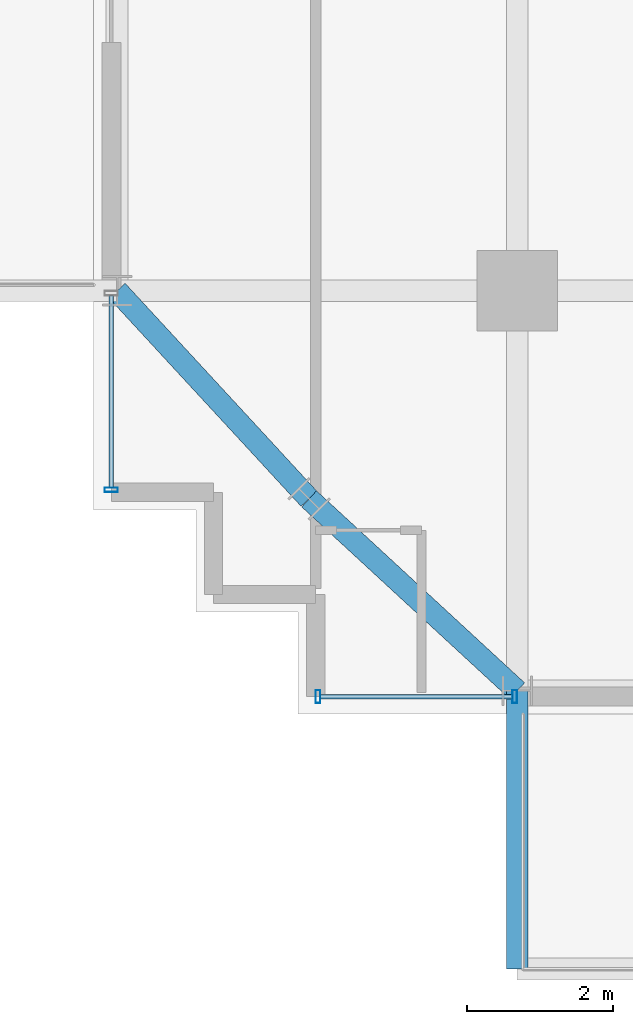
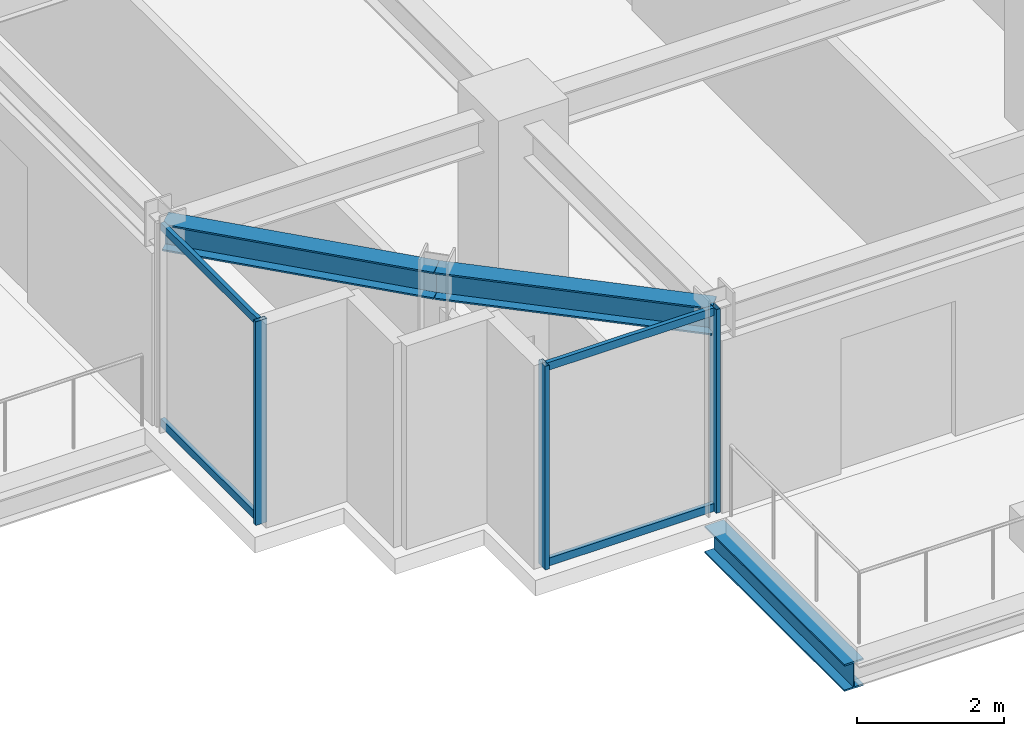
# One storey, part 2 of 31: 7 members, 3 beams, 2 elements without a shape of their own.
"""IFC4 building model written with IfcOpenShell, lengths in metres."""

import ifcopenshell
import ifcopenshell.guid

model = None  # the IFC model being written
_history = None  # IfcOwnerHistory: only IFC2X3 demands one
_inside = {}  # id of a spatial element -> (the spatial element, [elements in it])
_under = {}  # id of a project, library or spatial element -> (it, [spatial elements below it])
_declared = {}  # id of a project -> (the project, [libraries it declares])
_typed = {}  # id of a type object -> (the type object, [elements of that type])
_made_of = {}  # id of a material, layer set ... -> (it, [elements and type objects made of it])


def new_model(schema):
    """Start an empty IFC model of exactly this schema.

    Asked for "IFC4X3", IfcOpenShell would pick the latest addendum, in which some entities
    have other attributes; the version numbers below select the first issue.
    IFC2X3 requires an IfcOwnerHistory on every rooted entity: one is made here for all.
    """
    global model, _history
    if schema == "IFC4X3":
        model = ifcopenshell.file(schema_version=(4, 3, 0, 0))
    else:
        model = ifcopenshell.file(schema=schema)
    _inside.clear()
    _under.clear()
    _declared.clear()
    _typed.clear()
    _made_of.clear()
    _history = None
    if model.schema == "IFC2X3":
        org = make("IfcOrganization", Name="unknown")
        user = make(
            "IfcPersonAndOrganization",
            ThePerson=make("IfcPerson", FamilyName="unknown"),
            TheOrganization=org,
        )
        app = make(
            "IfcApplication",
            ApplicationDeveloper=org,
            Version="unknown",
            ApplicationFullName="unknown",
            ApplicationIdentifier="unknown",
        )
        _history = make(
            "IfcOwnerHistory",
            OwningUser=user,
            OwningApplication=app,
            ChangeAction="ADDED",
            CreationDate=0,
        )
    return model


def make(cls, **values):
    """One entity of the class cls with the attributes given. An attribute that is None is left unset."""
    return model.create_entity(
        cls, **{name: value for name, value in values.items() if value is not None}
    )


def rooted(cls, **values):
    """An entity with a GlobalId (a new one), such as an element, a storey or a relation."""
    return make(cls, GlobalId=ifcopenshell.guid.new(), OwnerHistory=_history, **values)


def si_unit(unit_type, name, prefix=None):
    """IfcSIUnit, for example si_unit("LENGTHUNIT", "METRE", prefix="MILLI")."""
    return make("IfcSIUnit", UnitType=unit_type, Prefix=prefix, Name=name)


def assignment(units):
    """IfcUnitAssignment: the units of a project."""
    return None if units is None else make("IfcUnitAssignment", Units=units)


def point(xyz):
    """IfcCartesianPoint."""
    return None if xyz is None else make("IfcCartesianPoint", Coordinates=xyz)


def direction(xyz):
    """IfcDirection."""
    return None if xyz is None else make("IfcDirection", DirectionRatios=xyz)


def frame(location, z_axis=None, x_axis=None):
    """IfcAxis2Placement3D, a coordinate frame: its origin and axes. An axis left out is left unset."""
    return make(
        "IfcAxis2Placement3D",
        Location=point(location),
        Axis=direction(z_axis),
        RefDirection=direction(x_axis),
    )


def frame_2d(location, x_axis=None):
    """IfcAxis2Placement2D, a coordinate frame in the plane: its origin and x axis."""
    return make(
        "IfcAxis2Placement2D", Location=point(location), RefDirection=direction(x_axis)
    )


def origin():
    """The frame at (0, 0, 0) with its axes left unset."""
    return frame((0.0, 0.0, 0.0))


def origin_2d():
    """The frame at (0, 0) in the plane with its x axis left unset."""
    return frame_2d((0.0, 0.0))


def place(relative_to, where):
    """IfcLocalPlacement: puts the frame where relative to a parent placement (None: the world)."""
    return make(
        "IfcLocalPlacement", PlacementRelTo=relative_to, RelativePlacement=where
    )


def context(
    kind, dimensions, precision=None, world=None, true_north=None, identifier=None
):
    """IfcGeometricRepresentationContext, for example the 3D "Model" context."""
    return make(
        "IfcGeometricRepresentationContext",
        ContextIdentifier=identifier,
        ContextType=kind,
        CoordinateSpaceDimension=dimensions,
        Precision=precision,
        WorldCoordinateSystem=world,
        TrueNorth=true_north,
    )


def subcontext(parent, identifier, kind, view, scale=None):
    """IfcGeometricRepresentationSubContext, for example "Body" below "Model"."""
    return make(
        "IfcGeometricRepresentationSubContext",
        ContextIdentifier=identifier,
        ContextType=kind,
        ParentContext=parent,
        TargetScale=scale,
        TargetView=view,
    )


def project(units=None, contexts=None):
    """IfcProject with its units and contexts."""
    return rooted(
        "IfcProject",
        Name="project",
        RepresentationContexts=contexts,
        UnitsInContext=assignment(units),
    )


def spatial(cls, under=None, at=None, **own):
    """A site, building, storey or space (cls), placed at a placement, below another one or the project."""
    s = rooted(cls, ObjectPlacement=at, **own)
    if under is not None:
        _under.setdefault(under.id(), (under, []))[1].append(s)
    return s


def profile(cls, at=None, kind="AREA", **sizes):
    """A parametric profile (cls). Its sizes go by their IFC names, for example OverallWidth=200.0."""
    return make(cls, ProfileType=kind, Position=at, **sizes)


def hollow_rectangle(**sizes):
    """IfcRectangleHollowProfileDef."""
    return profile("IfcRectangleHollowProfileDef", **sizes)


def i_section(**sizes):
    """IfcIShapeProfileDef."""
    return profile("IfcIShapeProfileDef", **sizes)


def extrude(swept, where, along, depth):
    """IfcExtrudedAreaSolid: the profile swept, set in the frame where, extruded along a direction by depth."""
    return make(
        "IfcExtrudedAreaSolid",
        SweptArea=swept,
        Position=where,
        ExtrudedDirection=direction(along),
        Depth=depth,
    )


def shape(context_of_items, identifier, shape_type, items):
    """IfcShapeRepresentation: the items that make up one representation, for example the "Body"."""
    return make(
        "IfcShapeRepresentation",
        ContextOfItems=context_of_items,
        RepresentationIdentifier=identifier,
        RepresentationType=shape_type,
        Items=items,
    )


def source(mapping_origin, context_of_items, identifier, shape_type, items):
    """IfcRepresentationMap: a shape defined once, which mapped items show again and again."""
    return make(
        "IfcRepresentationMap",
        MappingOrigin=mapping_origin,
        MappedRepresentation=shape(context_of_items, identifier, shape_type, items),
    )


def transform(
    local_origin,
    x_axis=None,
    y_axis=None,
    z_axis=None,
    scale=None,
    scale2=None,
    scale3=None,
    uniform=True,
):
    """IfcCartesianTransformationOperator3D, or its non-uniform kind. x_axis, y_axis, z_axis: its Axis1, 2, 3."""
    if uniform:
        return make(
            "IfcCartesianTransformationOperator3D",
            Axis1=direction(x_axis),
            Axis2=direction(y_axis),
            LocalOrigin=point(local_origin),
            Scale=scale,
            Axis3=direction(z_axis),
        )
    return make(
        "IfcCartesianTransformationOperator3DnonUniform",
        Axis1=direction(x_axis),
        Axis2=direction(y_axis),
        LocalOrigin=point(local_origin),
        Scale=scale,
        Axis3=direction(z_axis),
        Scale2=scale2,
        Scale3=scale3,
    )


def mapped(mapping_source, mapping_target):
    """IfcMappedItem: shows the shape of a source again, moved by a transform."""
    return make(
        "IfcMappedItem", MappingSource=mapping_source, MappingTarget=mapping_target
    )


def material(Name=None, Category=None):
    """IfcMaterial."""
    return make("IfcMaterial", Name=Name, Category=Category)


def material_profile(
    of_material, cross_section, Name=None, Category=None, Priority=None
):
    """IfcMaterialProfile: a cross section and its material."""
    return make(
        "IfcMaterialProfile",
        Name=Name,
        Material=of_material,
        Profile=cross_section,
        Priority=Priority,
        Category=Category,
    )


def profile_set(profiles, Name=None, composite=None):
    """IfcMaterialProfileSet."""
    return make(
        "IfcMaterialProfileSet",
        Name=Name,
        MaterialProfiles=profiles,
        CompositeProfile=composite,
    )


def made_of(thing, what):
    """Note that an element or type object is made of a material, layer set ...; save() writes the relation."""
    if what is not None:
        _made_of.setdefault(what.id(), (what, []))[1].append(thing)
    return thing


def type_object(cls, material=None, **own):
    """A type object (cls), such as IfcWallType, which elements share."""
    return made_of(rooted(cls, **own), material)


def element(
    cls,
    number,
    at=None,
    inside=None,
    cuts=None,
    type_object=None,
    material=None,
    context=None,
    identifier="Body",
    shape_type=None,
    held_by="IfcProductDefinitionShape",
    body=None,
    shapes=None,
    **own,
):
    """One element of the class cls, such as IfcWall. Its Tag is "e" and its number.

    at: its placement. inside: the storey or other place that contains it. cuts: it is an
    opening in that element (IfcRelVoidsElement). A single representation is given by context,
    identifier, shape_type and body (its items); several are given by shapes. held_by: the class
    of the entity that holds the representations. save() writes the other relations.
    """
    e = rooted(cls, Tag="e%d" % number, ObjectPlacement=at, **own)
    if body is not None:
        shapes = [shape(context, identifier, shape_type, body)]
    if shapes is not None:
        e.Representation = make(held_by, Representations=shapes)
    if inside is not None:
        _inside.setdefault(inside.id(), (inside, []))[1].append(e)
    if cuts is not None:
        rooted(
            "IfcRelVoidsElement", RelatingBuildingElement=cuts, RelatedOpeningElement=e
        )
    if type_object is not None:
        _typed.setdefault(type_object.id(), (type_object, []))[1].append(e)
    return made_of(e, material)


def aggregate(whole, parts):
    """IfcRelAggregates: a whole, such as a stair, and the parts it consists of."""
    return rooted("IfcRelAggregates", RelatingObject=whole, RelatedObjects=parts)


def save(model, path):
    """Write the relations noted so far, then the file.

    IfcRelAggregates (storeys below a building ...), IfcRelContainedInSpatialStructure (elements
    in a storey), IfcRelDefinesByType, IfcRelAssociatesMaterial and IfcRelDeclares: one each for
    every whole, place, type object, material and project.
    """
    for whole, parts in _under.values():
        aggregate(whole, parts)
    for where, things in _inside.values():
        rooted(
            "IfcRelContainedInSpatialStructure",
            RelatedElements=things,
            RelatingStructure=where,
        )
    for kind, things in _typed.values():
        rooted("IfcRelDefinesByType", RelatedObjects=things, RelatingType=kind)
    for what, things in _made_of.values():
        rooted("IfcRelAssociatesMaterial", RelatedObjects=things, RelatingMaterial=what)
    for by, libraries in _declared.values():
        rooted("IfcRelDeclares", RelatingContext=by, RelatedDefinitions=libraries)
    model.write(path)


model = new_model("IFC4")

# Units and contexts
model_context = context("Model", 3, precision=1e-05, world=origin(), true_north=direction((0.0, 1.0)))
body_context = subcontext(model_context, "Body", "Model", "MODEL_VIEW")
ifc_project = project(units=[si_unit("LENGTHUNIT", "METRE"), si_unit("AREAUNIT", "SQUARE_METRE"), si_unit("VOLUMEUNIT", "CUBIC_METRE"), si_unit("PLANEANGLEUNIT", "RADIAN"), si_unit("MASSUNIT", "GRAM", prefix="KILO")], contexts=[model_context])

# Site, building, storey
site_placement = place(None, origin())
site = spatial("IfcSite", under=ifc_project, at=site_placement, CompositionType="ELEMENT")
building_placement = place(site_placement, origin())
building = spatial("IfcBuilding", under=site, at=building_placement, Name="Nahalor Promenade Grand Hotel", CompositionType="ELEMENT")
storey_placement = place(building_placement, frame((0.0, 0.0, 156.300048828125)))
storey = spatial("IfcBuildingStorey", under=building, at=storey_placement, Name="L39", CompositionType="ELEMENT", Elevation=156.300048828125)

# Beams
ifc_material_1 = material(Name="Steel S355JR", Category="steel")
ifc_material_profile_1 = material_profile(ifc_material_1, i_section(OverallWidth=0.3, OverallDepth=0.45, WebThickness=0.014, FlangeThickness=0.026, at=origin_2d()), Name="HEB 450")
ifc_profile_set_1 = profile_set([ifc_material_profile_1], Name="Steel S355JR")
beam_type_1 = type_object("IfcBeamType", Name="Beam-Outrigger-HEB450", PredefinedType="BEAM", material=ifc_profile_set_1)
shared_shape_1 = source(origin(), body_context, "Body", "SweptSolid", [
    extrude(i_section(OverallWidth=0.3, OverallDepth=0.45, WebThickness=0.014, FlangeThickness=0.026, at=origin_2d()), origin(), (0.0, 0.0, 1.0), 3.81005859375),
])
beam_placement = place(storey_placement, frame((-17.0, -26.2900390625, -0.505126953125), z_axis=(0.0, 1.0, 0.0), x_axis=(-1.0, 0.0, 0.0)))
element("IfcBeam", 1, at=beam_placement, inside=storey, type_object=beam_type_1, Name="BM-L39-BC-01-1", PredefinedType="BEAM", context=body_context, shape_type="MappedRepresentation", body=[
    mapped(shared_shape_1, transform((0.0, 0.0, 0.0), scale=1.0)),
])
ifc_material_profile_2 = material_profile(ifc_material_1, i_section(OverallWidth=0.3, OverallDepth=0.45, WebThickness=0.014, FlangeThickness=0.026, at=origin_2d()), Name="HEB 450")
ifc_profile_set_2 = profile_set([ifc_material_profile_2], Name="Steel S355JR")
beam_type_2 = type_object("IfcBeamType", Name="Beam-Spandrel-HEB450", PredefinedType="SPANDREL", material=ifc_profile_set_2)
shared_shape_2 = source(origin(), body_context, "Body", "SweptSolid", [
    extrude(i_section(OverallWidth=0.3, OverallDepth=0.45, WebThickness=0.014, FlangeThickness=0.026, at=origin_2d()), origin(), (0.0, 0.0, 1.0), 3.878173828125),
])
for number, where, z_axis, x_axis, name in (
    (2, (-17.0, -22.47998046875, 3.1650390625), (-0.73492893846, 0.678144125843, 0.0), (-0.678144125843, -0.73492893846, 0.0), "BM-L39-SPC-SW-1"),
    (3, (-19.85009765625, -19.85009765625, 3.1650390625), (-0.678144125843, 0.73492893846, 0.0), (-0.73492893846, -0.678144125843, 0.0), "BM-L39-SPC-SW-2"),
):
    element("IfcBeam", number, at=place(storey_placement, frame(where, z_axis=z_axis, x_axis=x_axis)), inside=storey, type_object=beam_type_2, Name=name, PredefinedType="SPANDREL", context=body_context, shape_type="MappedRepresentation", body=[
        mapped(shared_shape_2, transform((0.0, 0.0, 0.0), scale=1.0)),
    ])

# Curtain wall, members
ifc_material_2 = material(Name="Anodised Bronze Aluminium EN AW-6063 T6", Category="aluminium")
curtain_wall_type = type_object("IfcCurtainWallType", Name="CW2 Typical Hotel Flush Bronze Unitised Curtain Wall", PredefinedType="USERDEFINED", material=ifc_material_2)
curtain_wall_1_placement = place(storey_placement, origin())
curtain_wall_1 = element("IfcCurtainWall", 4, at=curtain_wall_1_placement, inside=storey, type_object=curtain_wall_type, Name="L39 Curtain Wall CW-L39-S-1", ObjectType="UNITISED_CURTAIN_WALL", PredefinedType="USERDEFINED")
ifc_material_profile_3 = material_profile(ifc_material_2, hollow_rectangle(XDim=0.065, YDim=0.18, WallThickness=0.004, at=origin_2d()), Name="CWM 65x180x4")
ifc_profile_set_3 = profile_set([ifc_material_profile_3], Name="Anodised Bronze Aluminium EN AW-6063 T6")
member_type_1 = type_object("IfcMemberType", Name="CWM2 Typical Bronze Mullion 65x180", PredefinedType="MULLION", material=ifc_profile_set_3)
shared_shape_3 = source(origin(), body_context, "Body", "SweptSolid", [
    extrude(hollow_rectangle(XDim=0.065, YDim=0.18, WallThickness=0.004, at=origin_2d()), origin(), (0.0, 0.0, 1.0), 3.389892578125),
])
member_1_placement = place(storey_placement, frame((-19.7275390625, -22.56005859375, 0.0), z_axis=(0.0, 0.0, 1.0), x_axis=(1.0, 0.0, 0.0)))
member_1 = element("IfcMember", 5, at=member_1_placement, type_object=member_type_1, Name="CW-L39-S-1 Mullion 0", PredefinedType="MULLION", context=body_context, shape_type="MappedRepresentation", body=[
    mapped(shared_shape_3, transform((0.0, 0.0, 0.0), scale=1.0)),
])
member_2_placement = place(storey_placement, frame((-17.032470703125, -22.56005859375, 0.0), z_axis=(0.0, 0.0, 1.0), x_axis=(1.0, 0.0, 0.0)))
member_2 = element("IfcMember", 6, at=member_2_placement, type_object=member_type_1, Name="CW-L39-S-1 Mullion 1", PredefinedType="MULLION", context=body_context, shape_type="MappedRepresentation", body=[
    mapped(shared_shape_3, transform((0.0, 0.0, 0.0), scale=1.0)),
])

# Curtain wall, member
curtain_wall_2_placement = place(storey_placement, origin())
curtain_wall_2 = element("IfcCurtainWall", 7, at=curtain_wall_2_placement, inside=storey, type_object=curtain_wall_type, Name="L39 Curtain Wall CW-L39-W-1", ObjectType="UNITISED_CURTAIN_WALL", PredefinedType="USERDEFINED")
member_3_placement = place(storey_placement, frame((-22.56005859375, -19.7275390625, 0.0), z_axis=(0.0, 0.0, 1.0), x_axis=(0.0, 1.0, 0.0)))
member_3 = element("IfcMember", 8, at=member_3_placement, type_object=member_type_1, Name="CW-L39-W-1 Mullion 0", PredefinedType="MULLION", context=body_context, shape_type="MappedRepresentation", body=[
    mapped(shared_shape_3, transform((0.0, 0.0, 0.0), scale=1.0)),
])

# Member
ifc_material_profile_4 = material_profile(ifc_material_2, hollow_rectangle(XDim=0.065, YDim=0.13, WallThickness=0.004, at=origin_2d()), Name="CWT 65x130x4")
ifc_profile_set_4 = profile_set([ifc_material_profile_4], Name="Anodised Bronze Aluminium EN AW-6063 T6")
member_type_2 = type_object("IfcMemberType", Name="CWT2 Typical Bronze Transom 65x130", PredefinedType="USERDEFINED", material=ifc_profile_set_4)
shared_shape_4 = source(origin(), body_context, "Body", "SweptSolid", [
    extrude(hollow_rectangle(XDim=0.065, YDim=0.13, WallThickness=0.004, at=origin_2d()), origin(), (0.0, 0.0, 1.0), 2.630126953125),
])
member_4_placement = place(storey_placement, frame((-19.695068359375, -22.56005859375, 0.06494140625), z_axis=(1.0, 0.0, 0.0), x_axis=(0.0, 1.0, 0.0)))
member_4 = element("IfcMember", 9, at=member_4_placement, type_object=member_type_2, Name="CW-L39-S-1 Transom 0-0", ObjectType="TRANSOM", PredefinedType="USERDEFINED", context=body_context, shape_type="MappedRepresentation", body=[
    mapped(shared_shape_4, transform((0.0, 0.0, 0.0), scale=1.0)),
])

member_5_placement = place(storey_placement, frame((-19.695068359375, -22.56005859375, 3.324951171875), z_axis=(1.0, 0.0, 0.0), x_axis=(0.0, 1.0, 0.0)))
member_5 = element("IfcMember", 10, at=member_5_placement, type_object=member_type_2, Name="CW-L39-S-1 Transom 0-1", ObjectType="TRANSOM", PredefinedType="USERDEFINED", context=body_context, shape_type="MappedRepresentation", body=[
    mapped(shared_shape_4, transform((0.0, 0.0, 0.0), scale=1.0)),
])

aggregate(curtain_wall_1, [member_1, member_2, member_4, member_5])

member_6_placement = place(storey_placement, frame((-22.56005859375, -19.695068359375, 0.06494140625), z_axis=(0.0, 1.0, 0.0), x_axis=(-1.0, 0.0, 0.0)))
member_6 = element("IfcMember", 11, at=member_6_placement, type_object=member_type_2, Name="CW-L39-W-1 Transom 0-0", ObjectType="TRANSOM", PredefinedType="USERDEFINED", context=body_context, shape_type="MappedRepresentation", body=[
    mapped(shared_shape_4, transform((0.0, 0.0, 0.0), scale=1.0)),
])

member_7_placement = place(storey_placement, frame((-22.56005859375, -19.695068359375, 3.324951171875), z_axis=(0.0, 1.0, 0.0), x_axis=(-1.0, 0.0, 0.0)))
member_7 = element("IfcMember", 12, at=member_7_placement, type_object=member_type_2, Name="CW-L39-W-1 Transom 0-1", ObjectType="TRANSOM", PredefinedType="USERDEFINED", context=body_context, shape_type="MappedRepresentation", body=[
    mapped(shared_shape_4, transform((0.0, 0.0, 0.0), scale=1.0)),
])

aggregate(curtain_wall_2, [member_3, member_6, member_7])

save(model, "model.ifc")
